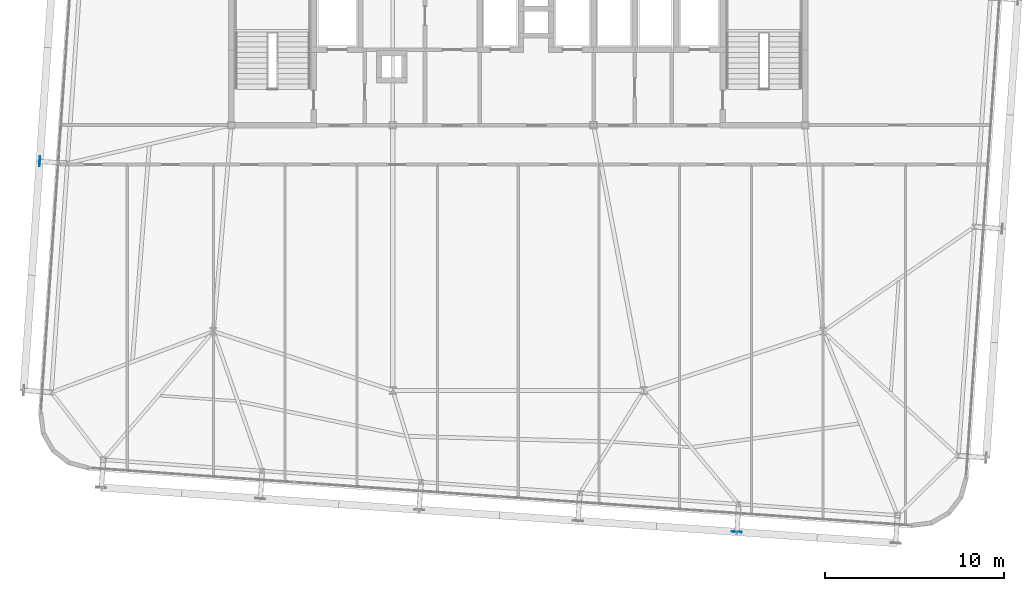
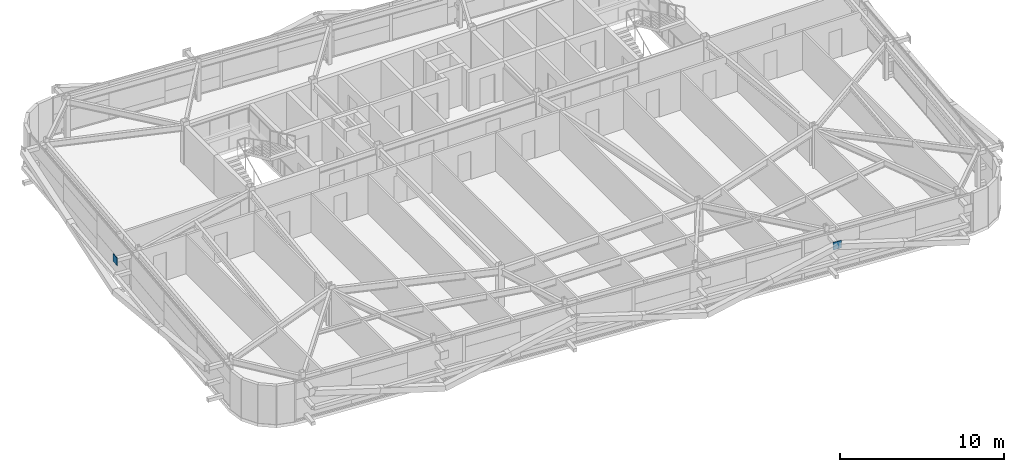
# One storey, part 29 of 39: 2 plates.
"""IFC4 building model written with IfcOpenShell, lengths in metres."""

from ifc_helpers import new_model, si_unit, direction, frame, origin, origin_2d, place, context, subcontext, project, spatial, rectangle, extrude, source, transform, mapped, material, layer, layer_set, type_object, element, save


model = new_model("IFC4")

# Units and contexts
model_context = context("Model", 3, precision=1e-05, world=origin(), true_north=direction((0.0, 1.0)))
body_context = subcontext(model_context, "Body", "Model", "MODEL_VIEW")
ifc_project = project(units=[si_unit("LENGTHUNIT", "METRE"), si_unit("AREAUNIT", "SQUARE_METRE"), si_unit("VOLUMEUNIT", "CUBIC_METRE"), si_unit("PLANEANGLEUNIT", "RADIAN"), si_unit("MASSUNIT", "GRAM", prefix="KILO")], contexts=[model_context])

# Site, building, storey
site_placement = place(None, origin())
site = spatial("IfcSite", under=ifc_project, at=site_placement, CompositionType="ELEMENT")
building_placement = place(site_placement, origin())
building = spatial("IfcBuilding", under=site, at=building_placement, Name="Taldren Reach Tower", CompositionType="ELEMENT")
storey_placement = place(building_placement, frame((0.0, 0.0, 161.35009765625)))
storey = spatial("IfcBuildingStorey", under=building, at=storey_placement, Name="L49", CompositionType="ELEMENT", Elevation=161.35009765625)

# Plates
ifc_material = material(Name="Steel Gr 450 (C450L0)", Category="steel")
ifc_layer = layer(ifc_material, 0.0400390625)
ifc_layer_set = layer_set([ifc_layer], Name="Steel Gr 450 (C450L0)")
plate_type = type_object("IfcPlateType", Name="PL-GUSSET-40", PredefinedType="SHEET", material=ifc_layer_set)
shared_shape = source(origin(), body_context, "Body", "SweptSolid", [
    extrude(rectangle(XDim=0.56005859375, YDim=0.0400390625, at=origin_2d()), origin(), (0.0, 0.0, 1.0), 0.56005859375),
])
for number, where, z_axis, x_axis, name in (
    (1, (47.18896484375, 1.314453125, 2.309814453125), (0.0, 0.0, 1.0), (0.99756405026, -0.069756473744, 0.0), "Exoskeleton star-node gusset plate B3-S5 L49"),
    (2, (8.3154296875, 21.9765625, 2.309814453125), (0.0, 0.0, 1.0), (0.069756473744, 0.99756405026, 0.0), "Exoskeleton star-node gusset plate B3-W2 L49"),
):
    element("IfcPlate", number, at=place(storey_placement, frame(where, z_axis=z_axis, x_axis=x_axis)), inside=storey, type_object=plate_type, Name=name, PredefinedType="SHEET", context=body_context, shape_type="MappedRepresentation", body=[
        mapped(shared_shape, transform((0.0, 0.0, 0.0), scale=1.0)),
    ])

save(model, "model.ifc")
